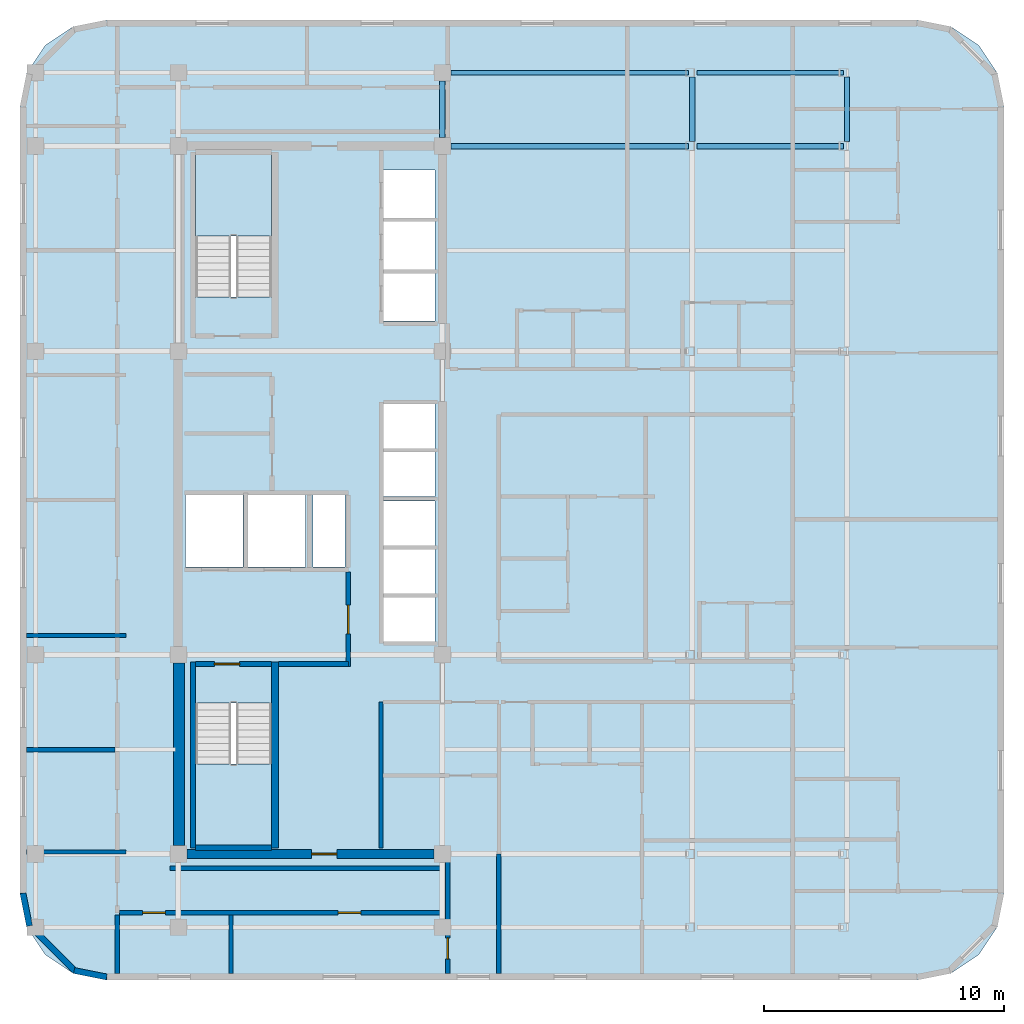
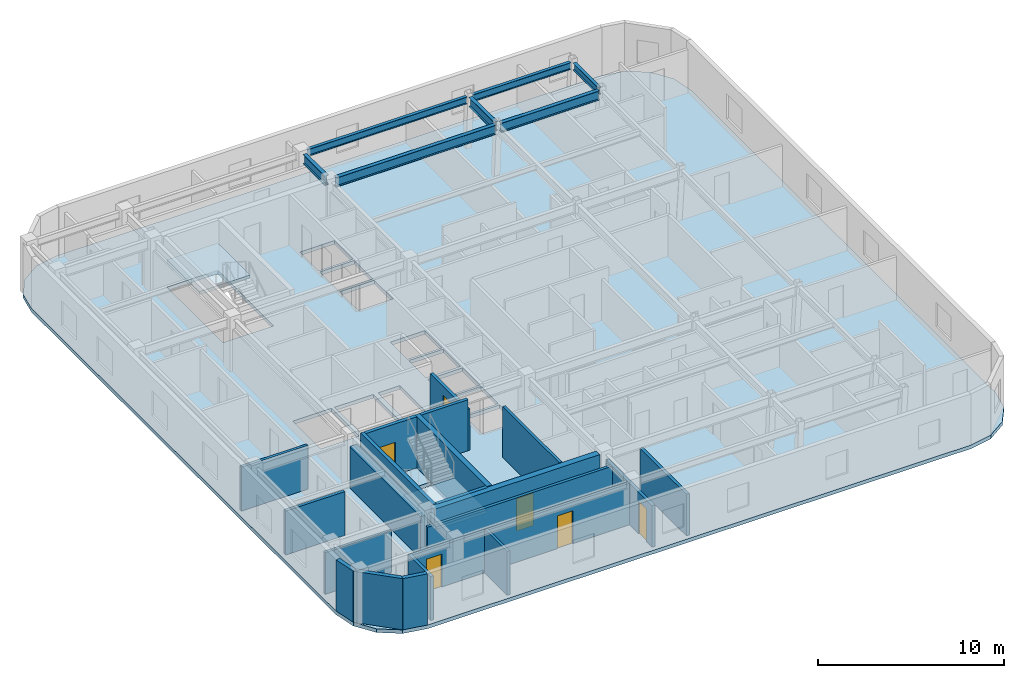
# One storey, part 2 of 8: 21 walls, 7 beams, 6 doors, 3 slabs, 6 openings, 2 elements without a shape of their own.
"""IFC4 building model written with IfcOpenShell, lengths in metres."""

from ifc_helpers import new_model, si_unit, direction, frame, frame_2d, origin, origin_2d, place, context, subcontext, project, spatial, polyline, rectangle, i_section, outline, extrude, material, layer, layer_set, material_profile, profile_set, type_object, element, fill, aggregate, save


model = new_model("IFC4")

# Units and contexts
model_context = context("Model", 3, precision=1e-05, world=origin(), true_north=direction((0.0, 1.0)))
body_context = subcontext(model_context, "Body", "Model", "MODEL_VIEW")
ifc_project = project(units=[si_unit("LENGTHUNIT", "METRE"), si_unit("AREAUNIT", "SQUARE_METRE"), si_unit("VOLUMEUNIT", "CUBIC_METRE"), si_unit("PLANEANGLEUNIT", "RADIAN"), si_unit("MASSUNIT", "GRAM", prefix="KILO")], contexts=[model_context])

# Site, building, storey
site_placement = place(None, origin())
site = spatial("IfcSite", under=ifc_project, at=site_placement, CompositionType="ELEMENT")
building_placement = place(site_placement, origin())
building = spatial("IfcBuilding", under=site, at=building_placement, Name="Ochreholt Gables", CompositionType="ELEMENT")
storey_placement = place(building_placement, frame((0.0, 0.0, 159.0)))
storey = spatial("IfcBuildingStorey", under=building, at=storey_placement, Name="L41", CompositionType="ELEMENT", Elevation=159.0)

# Beams
ifc_material_1 = material(Name="Steel CSA G40.21 350W", Category="steel")
ifc_material_profile_1 = material_profile(ifc_material_1, i_section(OverallWidth=0.22900390625, OverallDepth=0.612060546875, WebThickness=0.011962890625, FlangeThickness=0.01953125, at=origin_2d()), Name="W610X125")
ifc_profile_set_1 = profile_set([ifc_material_profile_1], Name="Steel CSA G40.21 350W")
beam_type_1 = type_object("IfcBeamType", Name="BM-G-W610B", PredefinedType="BEAM", material=ifc_profile_set_1)
beam_1_placement = place(storey_placement, frame((35.549560546875, 38.75, 3.053955078125), z_axis=(1.0, 0.0, 0.0), x_axis=(0.0, 1.0, 0.0)))
element("IfcBeam", 1, at=beam_1_placement, inside=storey, type_object=beam_type_1, Name="L41 Beam TBG-L41-C2EM-Y5", PredefinedType="BEAM", context=body_context, shape_type="SweptSolid", body=[
    extrude(i_section(OverallWidth=0.22900390625, OverallDepth=0.612060546875, WebThickness=0.011962890625, FlangeThickness=0.01953125, at=origin_2d()), origin(), (0.0, 0.0, 1.0), 9.89990234375),
])
beam_2_placement = place(storey_placement, frame((45.8046875, 38.75, 3.053955078125), z_axis=(1.0, 0.0, 0.0), x_axis=(0.0, 1.0, 0.0)))
element("IfcBeam", 2, at=beam_2_placement, inside=storey, type_object=beam_type_1, Name="L41 Beam TBG-L41-EMEE-Y5", PredefinedType="BEAM", context=body_context, shape_type="SweptSolid", body=[
    extrude(i_section(OverallWidth=0.22900390625, OverallDepth=0.612060546875, WebThickness=0.011962890625, FlangeThickness=0.01953125, at=origin_2d()), origin(), (0.0, 0.0, 1.0), 6.105224609375),
])
beam_3_placement = place(storey_placement, frame((35.199951171875, 39.099609375, 3.053955078125), z_axis=(0.0, 1.0, 0.0), x_axis=(-1.0, 0.0, 0.0)))
element("IfcBeam", 3, at=beam_3_placement, inside=storey, type_object=beam_type_1, Name="L41 Beam TBN-L41-C2-Y5Y6", PredefinedType="BEAM", context=body_context, shape_type="SweptSolid", body=[
    extrude(i_section(OverallWidth=0.22900390625, OverallDepth=0.612060546875, WebThickness=0.011962890625, FlangeThickness=0.01953125, at=origin_2d()), origin(), (0.0, 0.0, 1.0), 2.350830078125),
])
beam_4_placement = place(storey_placement, frame((45.60986328125, 38.927490234375, 3.053955078125), z_axis=(0.0, 1.0, 0.0), x_axis=(-1.0, 0.0, 0.0)))
element("IfcBeam", 4, at=beam_4_placement, inside=storey, type_object=beam_type_1, Name="L41 Beam TBN-L41-EM-Y5Y6", PredefinedType="BEAM", context=body_context, shape_type="SweptSolid", body=[
    extrude(i_section(OverallWidth=0.22900390625, OverallDepth=0.612060546875, WebThickness=0.011962890625, FlangeThickness=0.01953125, at=origin_2d()), origin(), (0.0, 0.0, 1.0), 2.69482421875),
])
ifc_material_profile_2 = material_profile(ifc_material_1, i_section(OverallWidth=0.19189453125, OverallDepth=0.462890625, WebThickness=0.010498046875, FlangeThickness=0.017578125, at=origin_2d()), Name="W460X89")
ifc_profile_set_2 = profile_set([ifc_material_profile_2], Name="Steel CSA G40.21 350W")
beam_type_2 = type_object("IfcBeamType", Name="BM-SP-W460A", PredefinedType="SPANDREL", material=ifc_profile_set_2)
beam_5_placement = place(storey_placement, frame((35.549560546875, 41.800048828125, 3.12841796875), z_axis=(1.0, 0.0, 0.0), x_axis=(0.0, 1.0, 0.0)))
element("IfcBeam", 5, at=beam_5_placement, inside=storey, type_object=beam_type_2, Name="L41 Beam TBG-L41-C2EM-Y6", PredefinedType="SPANDREL", context=body_context, shape_type="SweptSolid", body=[
    extrude(i_section(OverallWidth=0.19189453125, OverallDepth=0.462890625, WebThickness=0.010498046875, FlangeThickness=0.017578125, at=origin_2d()), origin(), (0.0, 0.0, 1.0), 9.89990234375),
])
beam_6_placement = place(storey_placement, frame((45.8046875, 41.800048828125, 3.12841796875), z_axis=(1.0, 0.0, 0.0), x_axis=(0.0, 1.0, 0.0)))
element("IfcBeam", 6, at=beam_6_placement, inside=storey, type_object=beam_type_2, Name="L41 Beam TBG-L41-EMEE-Y6", PredefinedType="SPANDREL", context=body_context, shape_type="SweptSolid", body=[
    extrude(i_section(OverallWidth=0.19189453125, OverallDepth=0.462890625, WebThickness=0.010498046875, FlangeThickness=0.017578125, at=origin_2d()), origin(), (0.0, 0.0, 1.0), 6.105224609375),
])
beam_7_placement = place(storey_placement, frame((52.05908203125, 38.927490234375, 3.12841796875), z_axis=(0.0, 1.0, 0.0), x_axis=(-1.0, 0.0, 0.0)))
element("IfcBeam", 7, at=beam_7_placement, inside=storey, type_object=beam_type_2, Name="L41 Beam TBN-L41-EE-Y5Y6", PredefinedType="SPANDREL", context=body_context, shape_type="SweptSolid", body=[
    extrude(i_section(OverallWidth=0.19189453125, OverallDepth=0.462890625, WebThickness=0.010498046875, FlangeThickness=0.017578125, at=origin_2d()), origin(), (0.0, 0.0, 1.0), 2.69482421875),
])

# Stair, slab
ifc_material_2 = material(Name="Concrete 40 MPa", Category="concrete")
stair_type_1 = type_object("IfcStairType", Name="STAIR-CORE-ST-1", PredefinedType="HALF_TURN_STAIR", material=ifc_material_2)
stair_1_placement = place(storey_placement, origin())
stair_1 = element("IfcStair", 8, at=stair_1_placement, inside=storey, type_object=stair_type_1, Name="L41 Core Exit Stair 1", PredefinedType="HALF_TURN_STAIR")
ifc_layer_1 = layer(ifc_material_2, 0.199951171875, Name="Concrete 40 MPa")
ifc_layer_set_1 = layer_set([ifc_layer_1], Name="Concrete 40 MPa")
slab_type_1 = type_object("IfcSlabType", Name="LANDING-RC200", PredefinedType="LANDING", material=ifc_layer_set_1)
slab_1_placement = place(storey_placement, frame((0.0, 0.0, 1.60009765625)))
slab_1 = element("IfcSlab", 9, at=slab_1_placement, type_object=slab_type_1, Name="ST-1 landing 1", PredefinedType="LANDING", context=body_context, shape_type="SweptSolid", body=[
    extrude(outline(polyline([(24.919921875, 13.001953125), (24.919921875, 9.52001953125), (28.080078125, 9.52001953125), (28.080078125, 13.001953125), (24.919921875, 13.001953125)])), origin(), (0.0, 0.0, 1.0), 0.199951171875),
])
aggregate(stair_1, [slab_1])

stair_type_2 = type_object("IfcStairType", Name="STAIR-CORE-ST-2", PredefinedType="HALF_TURN_STAIR", material=ifc_material_2)
stair_2_placement = place(storey_placement, origin())
stair_2 = element("IfcStair", 10, at=stair_2_placement, inside=storey, type_object=stair_type_2, Name="L41 Core Exit Stair 2", PredefinedType="HALF_TURN_STAIR")
slab_2_placement = place(storey_placement, frame((0.0, 0.0, 1.60009765625)))
slab_2 = element("IfcSlab", 11, at=slab_2_placement, type_object=slab_type_1, Name="ST-2 landing 1", PredefinedType="LANDING", context=body_context, shape_type="SweptSolid", body=[
    extrude(outline(polyline([(28.080078125, 34.998046875), (28.080078125, 38.47998046875), (24.919921875, 38.47998046875), (24.919921875, 34.998046875), (28.080078125, 34.998046875)])), origin(), (0.0, 0.0, 1.0), 0.199951171875),
])
aggregate(stair_2, [slab_2])

# Slab
ifc_layer_2 = layer(ifc_material_2, 0.239990234375, Name="Concrete 40 MPa")
ifc_layer_set_2 = layer_set([ifc_layer_2], Name="Concrete 40 MPa")
slab_type_2 = type_object("IfcSlabType", Name="SLAB-TWR-240", PredefinedType="FLOOR", material=ifc_layer_set_2)
slab_3_placement = place(storey_placement, frame((0.0, 0.0, -0.239990234375)))
element("IfcSlab", 12, at=slab_3_placement, inside=storey, type_object=slab_type_2, Name="L41 Structural Floor Slab", PredefinedType="FLOOR", context=body_context, shape_type="SweptSolid", body=[
    extrude(outline(polyline([(17.60009765625, 7.60009765625), (17.8740234375, 6.222412109375), (18.654296875, 5.054443359375), (19.822265625, 4.27392578125), (21.199951171875, 4.0), (55.0, 4.0), (56.377685546875, 4.27392578125), (57.545654296875, 5.054443359375), (58.325927734375, 6.222412109375), (58.60009765625, 7.60009765625), (58.60009765625, 40.39990234375), (58.325927734375, 41.777587890625), (57.545654296875, 42.945556640625), (56.377685546875, 43.72607421875), (55.0, 44.0), (21.199951171875, 44.0), (19.822265625, 43.72607421875), (18.654296875, 42.945556640625), (17.8740234375, 41.777587890625), (17.60009765625, 40.39990234375), (17.60009765625, 7.60009765625)]), holes=[polyline([(24.919921875, 15.539306640625), (24.919921875, 9.52001953125), (28.080078125, 9.52001953125), (28.080078125, 15.539306640625), (24.919921875, 15.539306640625)]), polyline([(28.080078125, 32.460693359375), (28.080078125, 38.47998046875), (24.919921875, 38.47998046875), (24.919921875, 32.460693359375), (28.080078125, 32.460693359375)]), polyline([(24.5, 21.199951171875), (26.89990234375, 21.199951171875), (26.89990234375, 24.199951171875), (24.5, 24.199951171875), (24.5, 21.199951171875)]), polyline([(27.10009765625, 21.199951171875), (29.5, 21.199951171875), (29.5, 24.199951171875), (27.10009765625, 24.199951171875), (27.10009765625, 21.199951171875)]), polyline([(32.75, 18.10009765625), (34.89990234375, 18.10009765625), (34.89990234375, 19.949951171875), (32.75, 19.949951171875), (32.75, 18.10009765625)]), polyline([(32.75, 20.10009765625), (34.89990234375, 20.10009765625), (34.89990234375, 21.949951171875), (32.75, 21.949951171875), (32.75, 20.10009765625)]), polyline([(32.75, 22.10009765625), (34.89990234375, 22.10009765625), (34.89990234375, 23.949951171875), (32.75, 23.949951171875), (32.75, 22.10009765625)]), polyline([(32.75, 24.14990234375), (34.89990234375, 24.14990234375), (34.89990234375, 26.0), (32.75, 26.0), (32.75, 24.14990234375)]), polyline([(32.75, 26.14990234375), (34.89990234375, 26.14990234375), (34.89990234375, 28.0), (32.75, 28.0), (32.75, 26.14990234375)]), polyline([(32.75, 31.449951171875), (34.89990234375, 31.449951171875), (34.89990234375, 33.449951171875), (32.75, 33.449951171875), (32.75, 31.449951171875)]), polyline([(32.75, 33.60009765625), (34.89990234375, 33.60009765625), (34.89990234375, 35.60009765625), (32.75, 35.60009765625), (32.75, 33.60009765625)]), polyline([(32.75, 35.75), (34.89990234375, 35.75), (34.89990234375, 37.75), (32.75, 37.75), (32.75, 35.75)]), polyline([(29.800048828125, 21.199951171875), (31.14990234375, 21.199951171875), (31.14990234375, 24.199951171875), (29.800048828125, 24.199951171875), (29.800048828125, 21.199951171875)])]), origin(), (0.0, 0.0, 1.0), 0.239990234375),
])

# Wall, opening, door
ifc_material_3 = material(Name="Concrete 50 MPa", Category="concrete")
ifc_layer_3 = layer(ifc_material_3, 0.3798828125, Name="Concrete 50 MPa")
ifc_layer_set_3 = layer_set([ifc_layer_3], Name="Concrete 50 MPa")
wall_type_1 = type_object("IfcWallType", Name="WALL-CSW-380", PredefinedType="SHEAR", material=ifc_layer_set_3)
wall_1_placement = place(storey_placement, frame((24.550048828125, 9.25, 0.0), z_axis=(0.0, 0.0, 1.0), x_axis=(1.0, 0.0, 0.0)))
wall_1 = element("IfcWall", 13, at=wall_1_placement, inside=storey, type_object=wall_type_1, Name="L41 Core South Shear Wall", PredefinedType="SHEAR", context=body_context, shape_type="SweptSolid", body=[
    extrude(rectangle(XDim=10.300048828125, YDim=0.3798828125, at=frame_2d((5.14990234375, 0.0))), origin(), (0.0, 0.0, 1.0), 3.360107421875),
])
opening_1_placement = place(wall_1_placement, frame((5.199951171875, 0.0, 0.0)))
opening_1 = element("IfcOpeningElement", 14, at=opening_1_placement, cuts=wall_1, Name="Opening D-FLB", PredefinedType="OPENING", context=body_context, shape_type="SweptSolid", body=[
    extrude(rectangle(XDim=1.050048828125, YDim=2.14990234375, at=frame_2d((0.52490234375, 1.074951171875))), frame((0.0, 0.199951171875, 0.0), z_axis=(0.0, -1.0, 0.0), x_axis=(1.0, 0.0, 0.0)), (0.0, 0.0, 1.0), 0.39990234375),
])
ifc_material_4 = material(Name="Hollow Metal Steel", Category="steel")
door_type_1 = type_object("IfcDoorType", Name="DR-INT-FLB1050", OperationType="NOTDEFINED", PredefinedType="DOOR", material=ifc_material_4)
door_1_placement = place(opening_1_placement, origin())
door_1 = element("IfcDoor", 15, at=door_1_placement, inside=storey, type_object=door_type_1, Name="L41 Door D-C2CRS-L41", OperationType="SINGLE_SWING_LEFT", OverallHeight=2.14990234375, OverallWidth=1.050048828125, PredefinedType="DOOR", context=body_context, shape_type="SweptSolid", body=[
    extrude(rectangle(XDim=1.050048828125, YDim=2.14990234375, at=frame_2d((0.52490234375, 1.074951171875))), frame((0.0, 0.02490234375, 0.0), z_axis=(0.0, -1.0, 0.0), x_axis=(1.0, 0.0, 0.0)), (0.0, 0.0, 1.0), 0.050048828125),
])
fill(opening_1, door_1)

# Walls
ifc_material_5 = material(Name="Concrete 60 MPa", Category="concrete")
ifc_layer_4 = layer(ifc_material_5, 0.449951171875, Name="Concrete 60 MPa")
ifc_layer_set_4 = layer_set([ifc_layer_4], Name="Concrete 60 MPa")
wall_type_2 = type_object("IfcWallType", Name="WALL-CSW-450", PredefinedType="SHEAR", material=ifc_layer_set_4)
wall_2_placement = place(storey_placement, frame((24.22509765625, 9.60009765625, 0.0), z_axis=(0.0, 0.0, 1.0), x_axis=(0.0, 1.0, 0.0)))
element("IfcWall", 16, at=wall_2_placement, inside=storey, type_object=wall_type_2, Name="L41 Core West Shear Wall WS", PredefinedType="SHEAR", context=body_context, shape_type="SweptSolid", body=[
    extrude(rectangle(XDim=7.599853515625, YDim=0.449951171875, at=frame_2d((3.7998046875, 0.0))), origin(), (0.0, 0.0, 1.0), 2.748046875),
])
ifc_material_6 = material(Name="Precast concrete 40 MPa", Category="concrete")
ifc_layer_5 = layer(ifc_material_6, 0.25, Name="Precast concrete 40 MPa")
ifc_layer_set_5 = layer_set([ifc_layer_5], Name="Precast concrete 40 MPa")
wall_type_3 = type_object("IfcWallType", Name="WALL-EXT-CNR", PredefinedType="SOLIDWALL", material=ifc_layer_set_5)
wall_3_placement = place(storey_placement, frame((17.72412109375, 7.616455078125, 0.0), z_axis=(0.0, 0.0, 1.0), x_axis=(0.195135625965, -0.9807762678, 0.0)))
element("IfcWall", 17, at=wall_3_placement, inside=storey, type_object=wall_type_3, Name="L41 Rounded Corner Wall SW-1", PredefinedType="SOLIDWALL", context=body_context, shape_type="SweptSolid", body=[
    extrude(rectangle(XDim=1.388671875, YDim=0.25, at=frame_2d((0.6943359375, 0.0))), origin(), (0.0, 0.0, 1.0), 3.360107421875),
])
wall_4_placement = place(storey_placement, frame((17.968017578125, 6.304931640625, 0.0), z_axis=(0.0, 0.0, 1.0), x_axis=(0.707106781187, -0.707106781187, 0.0)))
element("IfcWall", 18, at=wall_4_placement, inside=storey, type_object=wall_type_3, Name="L41 Rounded Corner Wall SW-2", PredefinedType="SOLIDWALL", context=body_context, shape_type="SweptSolid", body=[
    extrude(rectangle(XDim=2.7392578125, YDim=0.25, at=frame_2d((1.36962890625, 0.0))), origin(), (0.0, 0.0, 1.0), 3.360107421875),
])
wall_5_placement = place(storey_placement, frame((19.8544921875, 4.39501953125, 0.0), z_axis=(0.0, 0.0, 1.0), x_axis=(0.980809899341, -0.19496651342, 0.0)))
element("IfcWall", 19, at=wall_5_placement, inside=storey, type_object=wall_type_3, Name="L41 Rounded Corner Wall SW-3", PredefinedType="SOLIDWALL", context=body_context, shape_type="SweptSolid", body=[
    extrude(rectangle(XDim=1.388671875, YDim=0.25, at=frame_2d((0.6943359375, 0.0))), origin(), (0.0, 0.0, 1.0), 3.360107421875),
])
ifc_layer_6 = layer(ifc_material_2, 0.199951171875, Name="Concrete 40 MPa")
ifc_layer_set_6 = layer_set([ifc_layer_6], Name="Concrete 40 MPa")
wall_type_4 = type_object("IfcWallType", Name="WALL-INT-CF200", PredefinedType="STANDARD", material=ifc_layer_set_6)
wall_6_placement = place(storey_placement, frame((28.3798828125, 17.169921875, 0.0), z_axis=(0.0, 0.0, 1.0), x_axis=(1.0, 0.0, 0.0)))
element("IfcWall", 20, at=wall_6_placement, inside=storey, type_object=wall_type_4, Name="L41 Interior Wall WI-FFS-L41", PredefinedType="STANDARD", context=body_context, shape_type="SweptSolid", body=[
    extrude(rectangle(XDim=2.900146484375, YDim=0.199951171875, at=frame_2d((1.4501953125, 0.0))), origin(), (0.0, 0.0, 1.0), 3.360107421875),
])

# Wall, opening, door
wall_7_placement = place(storey_placement, frame((31.280029296875, 17.070068359375, 0.0), z_axis=(0.0, 0.0, 1.0), x_axis=(0.0, 1.0, 0.0)))
wall_7 = element("IfcWall", 21, at=wall_7_placement, inside=storey, type_object=wall_type_4, Name="L41 Interior Wall WI-FFE-L41", PredefinedType="STANDARD", context=body_context, shape_type="SweptSolid", body=[
    extrude(rectangle(XDim=3.919921875, YDim=0.199951171875, at=frame_2d((1.9599609375, 0.0))), origin(), (0.0, 0.0, 1.0), 2.72998046875),
])
opening_2_placement = place(wall_7_placement, frame((1.35009765625, 0.0, 0.0)))
opening_2 = element("IfcOpeningElement", 22, at=opening_2_placement, cuts=wall_7, Name="Opening D-FFL", PredefinedType="OPENING", context=body_context, shape_type="SweptSolid", body=[
    extrude(rectangle(XDim=1.199951171875, YDim=2.14990234375, at=frame_2d((0.60009765625, 1.074951171875))), frame((0.0, 0.10986328125, 0.0), z_axis=(0.0, -1.0, 0.0), x_axis=(1.0, 0.0, 0.0)), (0.0, 0.0, 1.0), 0.219970703125),
])
door_type_2 = type_object("IfcDoorType", Name="DR-INT-FFL1200", OperationType="NOTDEFINED", PredefinedType="DOOR", material=ifc_material_4)
door_2_placement = place(opening_2_placement, origin())
door_2 = element("IfcDoor", 23, at=door_2_placement, inside=storey, type_object=door_type_2, Name="L41 Door D-FFL-L41", OperationType="SINGLE_SWING_LEFT", OverallHeight=2.14990234375, OverallWidth=1.199951171875, PredefinedType="DOOR", context=body_context, shape_type="SweptSolid", body=[
    extrude(rectangle(XDim=1.199951171875, YDim=2.14990234375, at=frame_2d((0.60009765625, 1.074951171875))), frame((0.0, 0.02490234375, 0.0), z_axis=(0.0, -1.0, 0.0), x_axis=(1.0, 0.0, 0.0)), (0.0, 0.0, 1.0), 0.050048828125),
])
fill(opening_2, door_2)

# Wall, openings, doors
ifc_material_7 = material(Name="Fire-Rated Gypsum Acoustic Partition", Category="gypsum")
ifc_layer_7 = layer(ifc_material_7, 0.179931640625, Name="Fire-Rated Gypsum Acoustic Partition")
ifc_layer_set_7 = layer_set([ifc_layer_7], Name="Fire-Rated Gypsum Acoustic Partition")
wall_type_5 = type_object("IfcWallType", Name="WALL-INT-CR180", PredefinedType="STANDARD", material=ifc_layer_set_7)
wall_8_placement = place(storey_placement, frame((21.739990234375, 6.800048828125, 0.0), z_axis=(0.0, 0.0, 1.0), x_axis=(1.0, 0.0, 0.0)))
wall_8 = element("IfcWall", 24, at=wall_8_placement, inside=storey, type_object=wall_type_5, Name="L41 Interior Wall WI-C2WCS-L41", PredefinedType="STANDARD", context=body_context, shape_type="SweptSolid", body=[
    extrude(rectangle(XDim=13.679931640625, YDim=0.179931640625, at=frame_2d((6.83984375, 0.0))), origin(), (0.0, 0.0, 1.0), 2.72998046875),
])
opening_3_placement = place(wall_8_placement, frame((0.969970703125, 0.0, 0.0)))
opening_3 = element("IfcOpeningElement", 25, at=opening_3_placement, cuts=wall_8, Name="Opening D-GN1", PredefinedType="OPENING", context=body_context, shape_type="SweptSolid", body=[
    extrude(rectangle(XDim=0.949951171875, YDim=2.14990234375, at=frame_2d((0.47509765625, 1.074951171875))), frame((0.0, 0.099853515625, 0.0), z_axis=(0.0, -1.0, 0.0), x_axis=(1.0, 0.0, 0.0)), (0.0, 0.0, 1.0), 0.199951171875),
])
opening_4_placement = place(wall_8_placement, frame((9.110107421875, 0.0, 0.0)))
opening_4 = element("IfcOpeningElement", 26, at=opening_4_placement, cuts=wall_8, Name="Opening D-GN1", PredefinedType="OPENING", context=body_context, shape_type="SweptSolid", body=[
    extrude(rectangle(XDim=0.949951171875, YDim=2.14990234375, at=frame_2d((0.47509765625, 1.074951171875))), frame((0.0, 0.099853515625, 0.0), z_axis=(0.0, -1.0, 0.0), x_axis=(1.0, 0.0, 0.0)), (0.0, 0.0, 1.0), 0.199951171875),
])
ifc_material_8 = material(Name="Engineered Oak Timber", Category="wood")
door_type_3 = type_object("IfcDoorType", Name="DR-INT-GEN950", OperationType="NOTDEFINED", PredefinedType="DOOR", material=ifc_material_8)
door_3_placement = place(opening_3_placement, origin())
door_3 = element("IfcDoor", 27, at=door_3_placement, inside=storey, type_object=door_type_3, Name="L41 Door D-C2STL1-L41", OperationType="SINGLE_SWING_LEFT", OverallHeight=2.14990234375, OverallWidth=0.949951171875, PredefinedType="DOOR", context=body_context, shape_type="SweptSolid", body=[
    extrude(rectangle(XDim=0.949951171875, YDim=2.14990234375, at=frame_2d((0.47509765625, 1.074951171875))), frame((0.0, 0.02490234375, 0.0), z_axis=(0.0, -1.0, 0.0), x_axis=(1.0, 0.0, 0.0)), (0.0, 0.0, 1.0), 0.050048828125),
])
fill(opening_3, door_3)
door_4_placement = place(opening_4_placement, origin())
door_4 = element("IfcDoor", 28, at=door_4_placement, inside=storey, type_object=door_type_3, Name="L41 Door D-C2STL2-L41", OperationType="SINGLE_SWING_RIGHT", OverallHeight=2.14990234375, OverallWidth=0.949951171875, PredefinedType="DOOR", context=body_context, shape_type="SweptSolid", body=[
    extrude(rectangle(XDim=0.949951171875, YDim=2.14990234375, at=frame_2d((0.47509765625, 1.074951171875))), frame((0.0, 0.02490234375, 0.0), z_axis=(0.0, -1.0, 0.0), x_axis=(1.0, 0.0, 0.0)), (0.0, 0.0, 1.0), 0.050048828125),
])
fill(opening_4, door_4)

# Walls
wall_9_placement = place(storey_placement, frame((23.85009765625, 8.64990234375, 0.0), z_axis=(0.0, 0.0, 1.0), x_axis=(1.0, 0.0, 0.0)))
element("IfcWall", 29, at=wall_9_placement, inside=storey, type_object=wall_type_5, Name="L41 Interior Wall WI-C2WCS2-L41", PredefinedType="STANDARD", context=body_context, shape_type="SweptSolid", body=[
    extrude(rectangle(XDim=11.56982421875, YDim=0.179931640625, at=frame_2d((5.784912109375, 0.0))), origin(), (0.0, 0.0, 1.0), 2.72998046875),
])
ifc_material_9 = material(Name="Double-Stud Acoustic Demising Wall", Category="gypsum")
ifc_layer_8 = layer(ifc_material_9, 0.179931640625, Name="Double-Stud Acoustic Demising Wall")
ifc_layer_set_8 = layer_set([ifc_layer_8], Name="Double-Stud Acoustic Demising Wall")
wall_type_6 = type_object("IfcWallType", Name="WALL-INT-DM180", PredefinedType="PARTITIONING", material=ifc_layer_set_8)
wall_10_placement = place(storey_placement, frame((21.64990234375, 4.280029296875, 0.0), z_axis=(0.0, 0.0, 1.0), x_axis=(0.0, 1.0, 0.0)))
element("IfcWall", 30, at=wall_10_placement, inside=storey, type_object=wall_type_6, Name="L41 Interior Wall WI-C2WWS-L41", PredefinedType="PARTITIONING", context=body_context, shape_type="SweptSolid", body=[
    extrude(rectangle(XDim=2.429931640625, YDim=0.179931640625, at=frame_2d((1.21484375, 0.0))), origin(), (0.0, 0.0, 1.0), 2.87890625),
])

# Wall, opening, door
wall_11_placement = place(storey_placement, frame((35.419921875, 4.280029296875, 0.0), z_axis=(0.0, 0.0, 1.0), x_axis=(0.0, 1.0, 0.0)))
wall_11 = element("IfcWall", 31, at=wall_11_placement, inside=storey, type_object=wall_type_6, Name="L41 Interior Wall WI-C2SES-L41", PredefinedType="PARTITIONING", context=body_context, shape_type="SweptSolid", body=[
    extrude(rectangle(XDim=4.969970703125, YDim=0.179931640625, at=frame_2d((2.48486328125, 0.0))), origin(), (0.0, 0.0, 1.0), 2.72998046875),
])
opening_5_placement = place(wall_11_placement, frame((0.590087890625, 0.0, 0.0)))
opening_5 = element("IfcOpeningElement", 32, at=opening_5_placement, cuts=wall_11, Name="Opening D-GN2", PredefinedType="OPENING", context=body_context, shape_type="SweptSolid", body=[
    extrude(rectangle(XDim=0.8798828125, YDim=2.1201171875, at=frame_2d((0.43994140625, 1.06005859375))), frame((0.0, 0.099853515625, 0.0), z_axis=(0.0, -1.0, 0.0), x_axis=(1.0, 0.0, 0.0)), (0.0, 0.0, 1.0), 0.199951171875),
])
door_type_4 = type_object("IfcDoorType", Name="DR-INT-GEN880", OperationType="NOTDEFINED", PredefinedType="DOOR", material=ifc_material_8)
door_5_placement = place(opening_5_placement, origin())
door_5 = element("IfcDoor", 33, at=door_5_placement, inside=storey, type_object=door_type_4, Name="L41 Door D-C2SPS-L41", OperationType="SINGLE_SWING_LEFT", OverallHeight=2.1201171875, OverallWidth=0.8798828125, PredefinedType="DOOR", context=body_context, shape_type="SweptSolid", body=[
    extrude(rectangle(XDim=0.8798828125, YDim=2.1201171875, at=frame_2d((0.43994140625, 1.06005859375))), frame((0.0, 0.02490234375, 0.0), z_axis=(0.0, -1.0, 0.0), x_axis=(1.0, 0.0, 0.0)), (0.0, 0.0, 1.0), 0.050048828125),
])
fill(opening_5, door_5)

# Walls
wall_12_placement = place(storey_placement, frame((37.550048828125, 4.280029296875, 0.0), z_axis=(0.0, 0.0, 1.0), x_axis=(0.0, 1.0, 0.0)))
element("IfcWall", 34, at=wall_12_placement, inside=storey, type_object=wall_type_6, Name="L41 Interior Wall WI-C2SEW2-L41", PredefinedType="PARTITIONING", context=body_context, shape_type="SweptSolid", body=[
    extrude(rectangle(XDim=4.969970703125, YDim=0.179931640625, at=frame_2d((2.48486328125, 0.0))), origin(), (0.0, 0.0, 1.0), 2.72998046875),
])
wall_13_placement = place(storey_placement, frame((17.8798828125, 13.60009765625, 0.0), z_axis=(0.0, 0.0, 1.0), x_axis=(1.0, 0.0, 0.0)))
element("IfcWall", 35, at=wall_13_placement, inside=storey, type_object=wall_type_6, Name="L41 Interior Wall WI-C2UDW2-L41", PredefinedType="PARTITIONING", context=body_context, shape_type="SweptSolid", body=[
    extrude(rectangle(XDim=3.68017578125, YDim=0.179931640625, at=frame_2d((1.840087890625, 0.0))), origin(), (0.0, 0.0, 1.0), 2.87890625),
])
ifc_material_10 = material(Name="Gypsum Acoustic Stud Partition", Category="gypsum")
ifc_layer_9 = layer(ifc_material_10, 0.1650390625, Name="Gypsum Acoustic Stud Partition")
ifc_layer_set_9 = layer_set([ifc_layer_9], Name="Gypsum Acoustic Stud Partition")
wall_type_7 = type_object("IfcWallType", Name="WALL-INT-PT165", PredefinedType="PARTITIONING", material=ifc_layer_set_9)
wall_14_placement = place(storey_placement, frame((32.64990234375, 9.5, 0.0), z_axis=(0.0, 0.0, 1.0), x_axis=(0.0, 1.0, 0.0)))
element("IfcWall", 36, at=wall_14_placement, inside=storey, type_object=wall_type_7, Name="L41 Interior Wall WI-RCL-W-L41", PredefinedType="PARTITIONING", context=body_context, shape_type="SweptSolid", body=[
    extrude(rectangle(XDim=6.080078125, YDim=0.1650390625, at=frame_2d((3.0400390625, 0.0))), origin(), (0.0, 0.0, 1.0), 3.360107421875),
])
wall_15_placement = place(storey_placement, frame((17.8798828125, 9.324951171875, 0.0), z_axis=(0.0, 0.0, 1.0), x_axis=(1.0, 0.0, 0.0)))
element("IfcWall", 37, at=wall_15_placement, inside=storey, type_object=wall_type_7, Name="L41 Interior Wall WU-L41W1-SDV", PredefinedType="PARTITIONING", context=body_context, shape_type="SweptSolid", body=[
    extrude(rectangle(XDim=4.130126953125, YDim=0.1650390625, at=frame_2d((2.06494140625, 0.0))), origin(), (0.0, 0.0, 1.0), 2.72998046875),
])
wall_16_placement = place(storey_placement, frame((17.8798828125, 18.35009765625, 0.0), z_axis=(0.0, 0.0, 1.0), x_axis=(1.0, 0.0, 0.0)))
element("IfcWall", 38, at=wall_16_placement, inside=storey, type_object=wall_type_7, Name="L41 Interior Wall WU-L41W2-SDV", PredefinedType="PARTITIONING", context=body_context, shape_type="SweptSolid", body=[
    extrude(rectangle(XDim=4.130126953125, YDim=0.1650390625, at=frame_2d((2.06494140625, 0.0))), origin(), (0.0, 0.0, 1.0), 2.87890625),
])
wall_17_placement = place(storey_placement, frame((26.39990234375, 4.280029296875, 0.0), z_axis=(0.0, 0.0, 1.0), x_axis=(0.0, 1.0, 0.0)))
element("IfcWall", 39, at=wall_17_placement, inside=storey, type_object=wall_type_7, Name="L41 Interior Wall WI-C2PKS-L41", PredefinedType="PARTITIONING", context=body_context, shape_type="SweptSolid", body=[
    extrude(rectangle(XDim=2.429931640625, YDim=0.1650390625, at=frame_2d((1.21484375, 0.0))), origin(), (0.0, 0.0, 1.0), 2.87890625),
])
ifc_layer_10 = layer(ifc_material_5, 0.300048828125, Name="Concrete 60 MPa")
ifc_layer_set_10 = layer_set([ifc_layer_10], Name="Concrete 60 MPa")
wall_type_8 = type_object("IfcWallType", Name="WALL-SPN-300", PredefinedType="SHEAR", material=ifc_layer_set_10)
wall_18_placement = place(storey_placement, frame((28.22998046875, 9.5, 0.0), z_axis=(0.0, 0.0, 1.0), x_axis=(0.0, 1.0, 0.0)))
element("IfcWall", 40, at=wall_18_placement, inside=storey, type_object=wall_type_8, Name="L41 Core South Spine Shear Wall", PredefinedType="SHEAR", context=body_context, shape_type="SweptSolid", body=[
    extrude(rectangle(XDim=7.760009765625, YDim=0.300048828125, at=frame_2d((3.8798828125, 0.0))), origin(), (0.0, 0.0, 1.0), 3.360107421875),
])
ifc_layer_11 = layer(ifc_material_3, 0.219970703125, Name="Concrete 50 MPa")
ifc_layer_set_11 = layer_set([ifc_layer_11], Name="Concrete 50 MPa")
wall_type_9 = type_object("IfcWallType", Name="WALL-STW-220", PredefinedType="SHEAR", material=ifc_layer_set_11)
wall_19_placement = place(storey_placement, frame((24.81005859375, 9.5, 0.0), z_axis=(0.0, 0.0, 1.0), x_axis=(0.0, 1.0, 0.0)))
element("IfcWall", 41, at=wall_19_placement, inside=storey, type_object=wall_type_9, Name="L41 Exit Stair 1 West Wall", PredefinedType="SHEAR", context=body_context, shape_type="SweptSolid", body=[
    extrude(rectangle(XDim=7.760009765625, YDim=0.219970703125, at=frame_2d((3.8798828125, 0.0))), origin(), (0.0, 0.0, 1.0), 3.360107421875),
])
wall_20_placement = place(storey_placement, frame((24.919921875, 9.510009765625, 0.0), z_axis=(0.0, 0.0, 1.0), x_axis=(1.0, 0.0, 0.0)))
element("IfcWall", 42, at=wall_20_placement, inside=storey, type_object=wall_type_9, Name="L41 Exit Stair 1 South Wall", PredefinedType="SHEAR", context=body_context, shape_type="SweptSolid", body=[
    extrude(rectangle(XDim=3.16015625, YDim=0.219970703125, at=frame_2d((1.580078125, 0.0))), origin(), (0.0, 0.0, 1.0), 3.360107421875),
])

# Wall, opening, door
wall_21_placement = place(storey_placement, frame((24.919921875, 17.169921875, 0.0), z_axis=(0.0, 0.0, 1.0), x_axis=(1.0, 0.0, 0.0)))
wall_21 = element("IfcWall", 43, at=wall_21_placement, inside=storey, type_object=wall_type_9, Name="L41 Exit Stair 1 North Wall", PredefinedType="SHEAR", context=body_context, shape_type="SweptSolid", body=[
    extrude(rectangle(XDim=3.16015625, YDim=0.219970703125, at=frame_2d((1.580078125, 0.0))), origin(), (0.0, 0.0, 1.0), 3.360107421875),
])
opening_6_placement = place(wall_21_placement, frame((0.780029296875, 0.0, 0.0)))
opening_6 = element("IfcOpeningElement", 44, at=opening_6_placement, cuts=wall_21, Name="Opening D-STC", PredefinedType="OPENING", context=body_context, shape_type="SweptSolid", body=[
    extrude(rectangle(XDim=1.050048828125, YDim=2.14990234375, at=frame_2d((0.52490234375, 1.074951171875))), frame((0.0, 0.119873046875, 0.0), z_axis=(0.0, -1.0, 0.0), x_axis=(1.0, 0.0, 0.0)), (0.0, 0.0, 1.0), 0.239990234375),
])
door_type_5 = type_object("IfcDoorType", Name="DR-INT-ST1050", OperationType="NOTDEFINED", PredefinedType="DOOR", material=ifc_material_4)
door_6_placement = place(opening_6_placement, frame((1.050048828125, 0.0, 0.0), z_axis=(0.0, 0.0, 1.0), x_axis=(-1.0, 0.0, 0.0)))
door_6 = element("IfcDoor", 45, at=door_6_placement, inside=storey, type_object=door_type_5, Name="L41 Door D-ST1-L41", OperationType="SINGLE_SWING_LEFT", OverallHeight=2.14990234375, OverallWidth=1.050048828125, PredefinedType="DOOR", context=body_context, shape_type="SweptSolid", body=[
    extrude(rectangle(XDim=1.050048828125, YDim=2.14990234375, at=frame_2d((0.52490234375, 1.074951171875))), frame((0.0, 0.02490234375, 0.0), z_axis=(0.0, -1.0, 0.0), x_axis=(1.0, 0.0, 0.0)), (0.0, 0.0, 1.0), 0.050048828125),
])
fill(opening_6, door_6)

save(model, "model.ifc")
